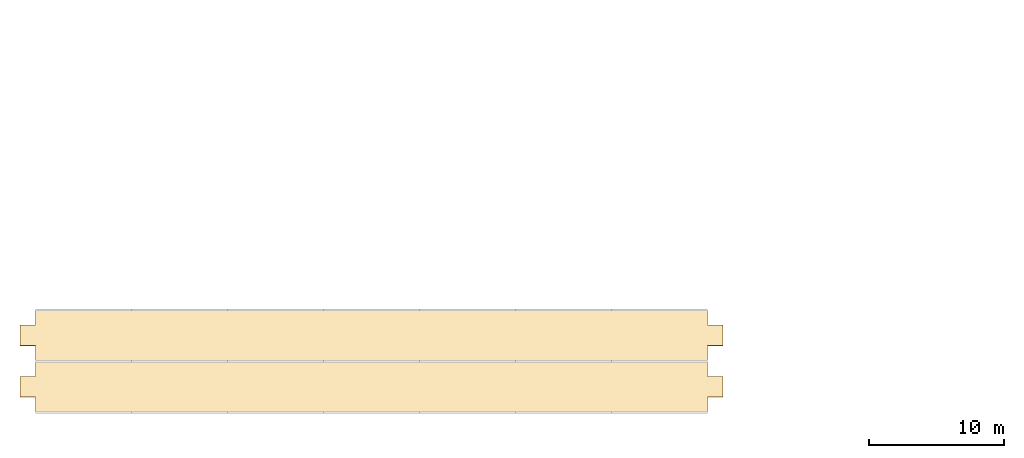
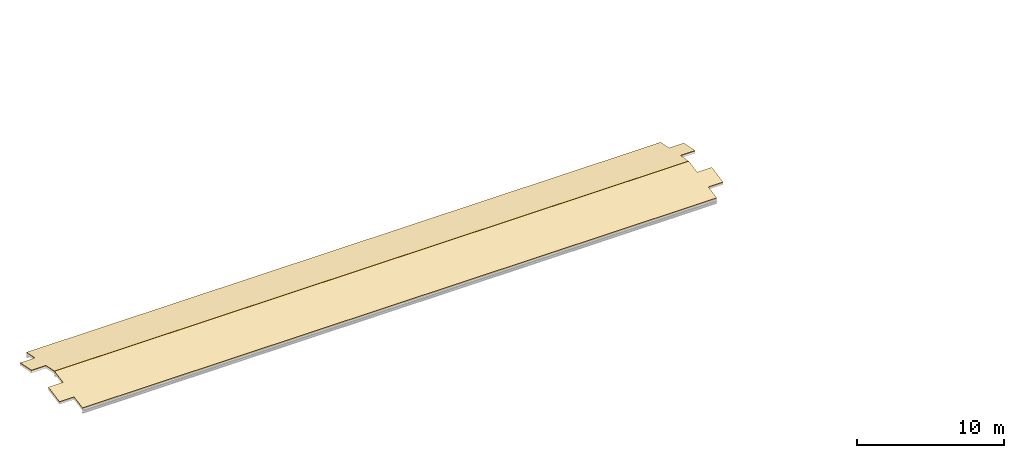
# One storey, part 17 of 19: 2 coverings, 1 element without a shape of its own.
"""IFC4 building model written with IfcOpenShell, lengths in metres."""

from ifc_helpers import new_model, si_unit, direction, frame, origin_with_axes, place, context, subcontext, project, spatial, polyline, outline, extrude, material, type_object, element, aggregate, save


model = new_model("IFC4")

# Units and contexts
model_context = context("Model", 3, precision=1e-05, world=origin_with_axes(), true_north=direction((0.0, 1.0)))
body_context = subcontext(model_context, "Body", "Model", "MODEL_VIEW")
ifc_project = project(units=[si_unit("LENGTHUNIT", "METRE"), si_unit("AREAUNIT", "SQUARE_METRE"), si_unit("VOLUMEUNIT", "CUBIC_METRE"), si_unit("PLANEANGLEUNIT", "RADIAN"), si_unit("MASSUNIT", "GRAM", prefix="KILO"), si_unit("THERMODYNAMICTEMPERATUREUNIT", "KELVIN")], contexts=[model_context])

# Site, building, storey
site_placement = place(None, origin_with_axes())
site = spatial("IfcSite", under=ifc_project, at=site_placement, CompositionType="ELEMENT")
building_placement = place(site_placement, origin_with_axes())
building = spatial("IfcBuilding", under=site, at=building_placement, Name="Montbau Bow Law Courts", CompositionType="ELEMENT")
storey_placement = place(building_placement, frame((0.0, 0.0, 43.5), z_axis=(0.0, 0.0, 1.0), x_axis=(1.0, 0.0, 0.0)))
storey = spatial("IfcBuildingStorey", under=building, at=storey_placement, Name="L09", CompositionType="ELEMENT", Elevation=43.5)

# Roof, coverings
ifc_material_1 = material(Name="Standing-Seam Zinc Insulated Barrel-Vault Roof", Category="steel")
roof_type = type_object("IfcRoofType", Name="RF-BV-01", PredefinedType="BARREL_ROOF", material=ifc_material_1)
roof_placement = place(None, frame((55.2, 39.0, 40.8), z_axis=(0.0, 0.0, 1.0), x_axis=(1.0, 0.0, 0.0)))
roof = element("IfcRoof", 1, at=roof_placement, inside=storey, type_object=roof_type, Name="BV-ROOF-V3-L09:rof_0032", PredefinedType="BARREL_ROOF")
ifc_material_2 = material(Name="Standing-Seam Pre-Weathered Zinc Roofing Membrane", Category="steel")
covering_type = type_object("IfcCoveringType", Name="CV-ROF-01", PredefinedType="ROOFING", material=ifc_material_2)
covering_1_placement = place(None, frame((0.0, 0.0, 34.423558), z_axis=(0.0, -0.191395051, 0.981513084), x_axis=(1.0, 0.0, 0.0)))
covering_1 = element("IfcCovering", 2, at=covering_1_placement, type_object=covering_type, Name="BV-CVR-V3-F3:cov_0042", PredefinedType="ROOFING", context=body_context, shape_type="SweptSolid", body=[
    extrude(outline(polyline([(55.2, 47.477717), (105.0, 47.477717), (105.0, 48.639189), (106.15, 48.639189), (106.15, 50.187818), (105.0, 50.187818), (105.0, 51.34929), (55.2, 51.34929), (55.2, 50.187818), (54.05, 50.187818), (54.05, 48.639189), (55.2, 48.639189), (55.2, 47.477717)])), origin_with_axes(), (0.0, 0.0, 1.0), 0.05),
])
covering_2_placement = place(None, frame((0.0, 0.0, 54.079558), z_axis=(0.0, 0.191395051, 0.981513084), x_axis=(1.0, 0.0, 0.0)))
covering_2 = element("IfcCovering", 3, at=covering_2_placement, type_object=covering_type, Name="BV-CVR-V3-F4:cov_0043", PredefinedType="ROOFING", context=body_context, shape_type="SweptSolid", body=[
    extrude(outline(polyline([(55.2, 51.34929), (105.0, 51.34929), (105.0, 52.510762), (106.15, 52.510762), (106.15, 54.059391), (105.0, 54.059391), (105.0, 55.220863), (55.2, 55.220863), (55.2, 54.059391), (54.05, 54.059391), (54.05, 52.510762), (55.2, 52.510762), (55.2, 51.34929)])), origin_with_axes(), (0.0, 0.0, 1.0), 0.05),
])
aggregate(roof, [covering_1, covering_2])

save(model, "model.ifc")
